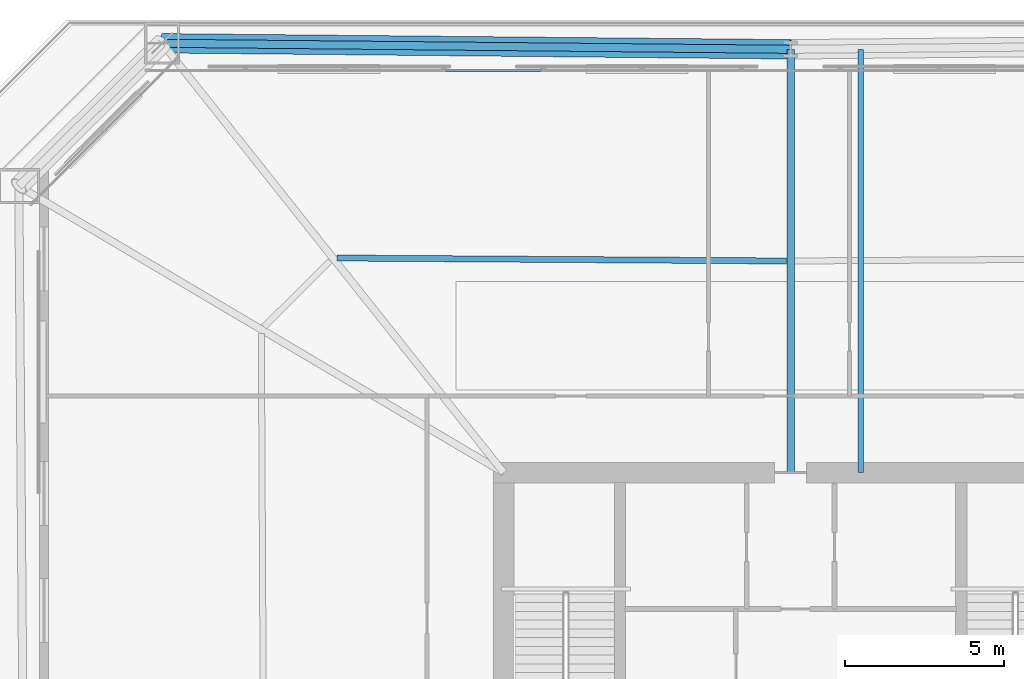
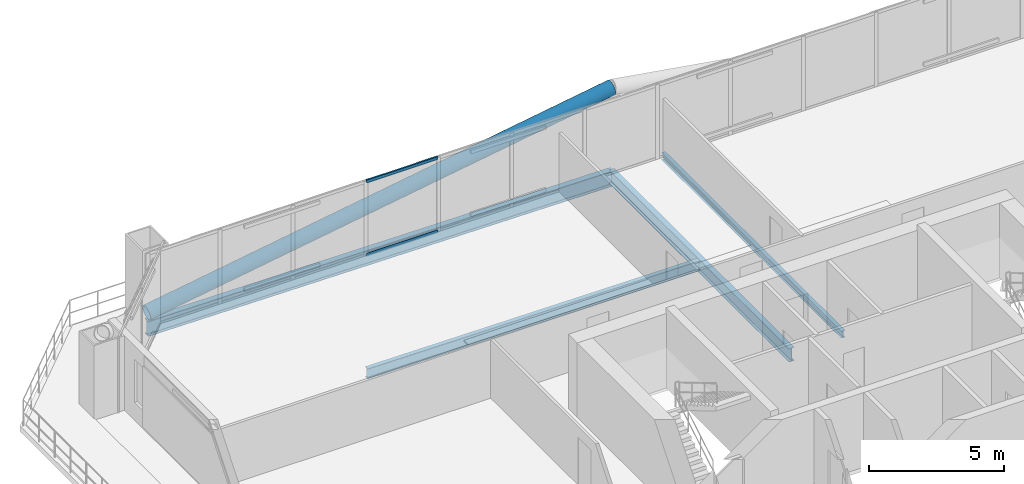
# One storey, part 20 of 34: 4 beams, 3 members, 1 element without a shape of its own.
"""IFC4 building model written with IfcOpenShell, lengths in metres."""

from ifc_helpers import new_model, si_unit, direction, frame, origin, origin_2d, place, context, subcontext, project, spatial, hollow_rectangle, hollow_circle, i_section, extrude, material, layer, layer_set, material_profile, profile_set, type_object, element, aggregate, save


model = new_model("IFC4")

# Units and contexts
model_context = context("Model", 3, precision=1e-05, world=origin(), true_north=direction((0.0, 1.0)))
body_context = subcontext(model_context, "Body", "Model", "MODEL_VIEW")
ifc_project = project(units=[si_unit("LENGTHUNIT", "METRE"), si_unit("AREAUNIT", "SQUARE_METRE"), si_unit("VOLUMEUNIT", "CUBIC_METRE"), si_unit("PLANEANGLEUNIT", "RADIAN"), si_unit("MASSUNIT", "GRAM", prefix="KILO")], contexts=[model_context])

# Site, building, storey
site_placement = place(None, origin())
site = spatial("IfcSite", under=ifc_project, at=site_placement, CompositionType="ELEMENT")
building_placement = place(site_placement, origin())
building = spatial("IfcBuilding", under=site, at=building_placement, Name="Caelvoria Tower", CompositionType="ELEMENT")
storey_placement = place(building_placement, frame((0.0, 0.0, 28.0)))
storey = spatial("IfcBuildingStorey", under=building, at=storey_placement, Name="L06", CompositionType="ELEMENT", Elevation=28.0)

# Beam
ifc_material_1 = material(Name="Structural Steel ASTM A992 Gr.50", Category="steel")
ifc_material_profile_1 = material_profile(ifc_material_1, i_section(OverallWidth=0.166015625, OverallDepth=0.31298828125, WebThickness=0.006591796875, FlangeThickness=0.01123046875, FilletRadius=0.011962890625, at=origin_2d()), Name="Structural Steel ASTM A992 Gr.50")
ifc_profile_set_1 = profile_set([ifc_material_profile_1], Name="W310X44.5 - Structural Steel ASTM A992 Gr.50")
beam_type_1 = type_object("IfcBeamType", Name="Composite Floor Intermediate Joist W310X44.5", PredefinedType="JOIST", material=ifc_profile_set_1)
beam_1_placement = place(storey_placement, frame((48.199951171875, 40.0, -0.47705078125), z_axis=(0.0, 1.0, 0.0), x_axis=(-1.0, 0.0, 0.0)))
element("IfcBeam", 1, at=beam_1_placement, inside=storey, type_object=beam_type_1, Name="Intermediate Floor Joist L06 North", PredefinedType="JOIST", context=body_context, shape_type="SweptSolid", body=[
    extrude(i_section(OverallWidth=0.166015625, OverallDepth=0.31298828125, WebThickness=0.006591796875, FlangeThickness=0.01123046875, FilletRadius=0.011962890625, at=origin_2d()), origin(), (0.0, 0.0, 1.0), 13.280029296875),
])

# Curtain wall, members
ifc_material_2 = material(Name="Anodised Bronze Aluminium and Low-E Glass", Category="aluminium")
ifc_layer = layer(ifc_material_2, 0.18505859375, Name="Anodised Bronze Aluminium and Low-E Glass")
ifc_layer_set = layer_set([ifc_layer], Name="CW System 2 Lower Tower Bronze Unitised Facade - Anodised Bronze Aluminium and Low-E Glass")
curtain_wall_type = type_object("IfcCurtainWallType", Name="CW System 2 Lower Tower Bronze Unitised Facade", PredefinedType="NOTDEFINED", material=ifc_layer_set)
curtain_wall_placement = place(storey_placement, origin())
curtain_wall = element("IfcCurtainWall", 2, at=curtain_wall_placement, inside=storey, type_object=curtain_wall_type, Name="CW-02 Curtain Wall L06-E4", PredefinedType="NOTDEFINED")
ifc_material_3 = material(Name="Anodised Bronze Architectural Aluminium", Category="aluminium")
ifc_material_profile_2 = material_profile(ifc_material_3, hollow_rectangle(XDim=0.06494140625, YDim=0.1298828125, WallThickness=0.00341796875, at=origin_2d()), Name="Anodised Bronze Architectural Aluminium")
ifc_profile_set_2 = profile_set([ifc_material_profile_2], Name="CW_TRAN_65X130 - Anodised Bronze Architectural Aluminium")
member_type_1 = type_object("IfcMemberType", Name="Curtain Wall Transom 65x130 Bronze Aluminium", PredefinedType="USERDEFINED", material=ifc_profile_set_2)
member_1_placement = place(storey_placement, frame((38.1982421875, 52.6201171875, 0.032470703125), z_axis=(-1.0, 0.0, 0.0), x_axis=(0.0, -1.0, 0.0)))
member_1 = element("IfcMember", 3, at=member_1_placement, type_object=member_type_1, Name="CW-02 transom 10.1", ObjectType="TRANSOM", PredefinedType="USERDEFINED", context=body_context, shape_type="SweptSolid", body=[
    extrude(hollow_rectangle(XDim=0.06494140625, YDim=0.1298828125, WallThickness=0.00341796875, at=origin_2d()), origin(), (0.0, 0.0, 1.0), 3.042724609375),
])
member_2_placement = place(storey_placement, frame((38.1982421875, 52.6201171875, 3.327392578125), z_axis=(-1.0, 0.0, 0.0), x_axis=(0.0, -1.0, 0.0)))
member_2 = element("IfcMember", 4, at=member_2_placement, type_object=member_type_1, Name="CW-02 transom 10.2", ObjectType="TRANSOM", PredefinedType="USERDEFINED", context=body_context, shape_type="SweptSolid", body=[
    extrude(hollow_rectangle(XDim=0.06494140625, YDim=0.1298828125, WallThickness=0.00341796875, at=origin_2d()), origin(), (0.0, 0.0, 1.0), 3.042724609375),
])
aggregate(curtain_wall, [member_1, member_2])

# Member
ifc_material_4 = material(Name="Structural Steel ASTM A572 Gr.50", Category="steel")
ifc_material_profile_3 = material_profile(ifc_material_4, hollow_circle(Radius=0.304931640625, WallThickness=0.02490234375, at=origin_2d()), Name="Structural Steel ASTM A572 Gr.50")
ifc_profile_set_3 = profile_set([ifc_material_profile_3], Name="CHS610X25 - Structural Steel ASTM A572 Gr.50")
member_type_2 = type_object("IfcMemberType", Name="Lower Perimeter Mega Brace CHS610X25", PredefinedType="BRACE", material=ifc_profile_set_3)
member_3_placement = place(storey_placement, frame((26.287109375, 53.469482421875, 0.0), z_axis=(0.985737846639, -0.009473553069, 0.168021276916), x_axis=(0.009610177415, 0.999953821179, 0.0)))
element("IfcMember", 5, at=member_3_placement, inside=storey, type_object=member_type_2, Name="Perimeter Cardinal Mega Brace L06 NB", PredefinedType="BRACE", context=body_context, shape_type="SweptSolid", body=[
    extrude(hollow_circle(Radius=0.304931640625, WallThickness=0.02490234375, at=origin_2d()), origin(), (0.0, 0.0, 1.0), 19.998046875),
])

# Beams
ifc_material_profile_4 = material_profile(ifc_material_1, i_section(OverallWidth=0.25390625, OverallDepth=0.68798828125, WebThickness=0.01318359375, FlangeThickness=0.02099609375, FilletRadius=0.01904296875, at=origin_2d()), Name="Structural Steel ASTM A992 Gr.50")
ifc_profile_set_4 = profile_set([ifc_material_profile_4], Name="W690X152 - Structural Steel ASTM A992 Gr.50")
beam_type_2 = type_object("IfcBeamType", Name="Perimeter Spandrel Girder W690X152", PredefinedType="BEAM", material=ifc_profile_set_4)
beam_2_placement = place(storey_placement, frame((46.0, 53.280029296875, -0.6640625), z_axis=(-0.999953821179, 0.009610177415, 0.0), x_axis=(-0.009610177415, -0.999953821179, 0.0)))
element("IfcBeam", 6, at=beam_2_placement, inside=storey, type_object=beam_type_2, Name="Perimeter Spandrel Girder L06-07", PredefinedType="BEAM", context=body_context, shape_type="SweptSolid", body=[
    extrude(i_section(OverallWidth=0.25390625, OverallDepth=0.68798828125, WebThickness=0.01318359375, FlangeThickness=0.02099609375, FilletRadius=0.01904296875, at=origin_2d()), origin(), (0.0, 0.0, 1.0), 19.7138671875),
])
ifc_material_profile_5 = material_profile(ifc_material_1, i_section(OverallWidth=0.22900390625, OverallDepth=0.612060546875, WebThickness=0.011962890625, FlangeThickness=0.01953125, FilletRadius=0.01806640625, at=origin_2d()), Name="Structural Steel ASTM A992 Gr.50")
ifc_profile_set_5 = profile_set([ifc_material_profile_5], Name="W610X125 - Structural Steel ASTM A992 Gr.50")
beam_type_3 = type_object("IfcBeamType", Name="Primary Radial Floor Girder W610X125", PredefinedType="BEAM", material=ifc_profile_set_5)
beam_3_placement = place(storey_placement, frame((46.0, 40.0, -0.6259765625), z_axis=(0.0, 1.0, 0.0), x_axis=(-1.0, 0.0, 0.0)))
element("IfcBeam", 7, at=beam_3_placement, inside=storey, type_object=beam_type_3, Name="Primary Floor Girder L06-07", PredefinedType="BEAM", context=body_context, shape_type="SweptSolid", body=[
    extrude(i_section(OverallWidth=0.22900390625, OverallDepth=0.612060546875, WebThickness=0.011962890625, FlangeThickness=0.01953125, FilletRadius=0.01806640625, at=origin_2d()), origin(), (0.0, 0.0, 1.0), 13.280029296875),
])
ifc_material_profile_6 = material_profile(ifc_material_1, i_section(OverallWidth=0.18994140625, OverallDepth=0.45703125, WebThickness=0.009033203125, FlangeThickness=0.014404296875, FilletRadius=0.014892578125, at=origin_2d()), Name="Structural Steel ASTM A992 Gr.50")
ifc_profile_set_6 = profile_set([ifc_material_profile_6], Name="W460X74 - Structural Steel ASTM A992 Gr.50")
beam_type_4 = type_object("IfcBeamType", Name="Secondary Floor Beam W460X74", PredefinedType="BEAM", material=ifc_profile_set_6)
beam_4_placement = place(storey_placement, frame((45.875, 46.640869140625, -0.548583984375), z_axis=(-0.999978260442, 0.006593833805, 0.0), x_axis=(-0.006593833805, -0.999978260442, 0.0)))
element("IfcBeam", 8, at=beam_4_placement, inside=storey, type_object=beam_type_4, Name="Secondary Floor Beam L06-07", PredefinedType="BEAM", context=body_context, shape_type="SweptSolid", body=[
    extrude(i_section(OverallWidth=0.18994140625, OverallDepth=0.45703125, WebThickness=0.009033203125, FlangeThickness=0.014404296875, FilletRadius=0.014892578125, at=origin_2d()), origin(), (0.0, 0.0, 1.0), 14.106689453125),
])

save(model, "model.ifc")
